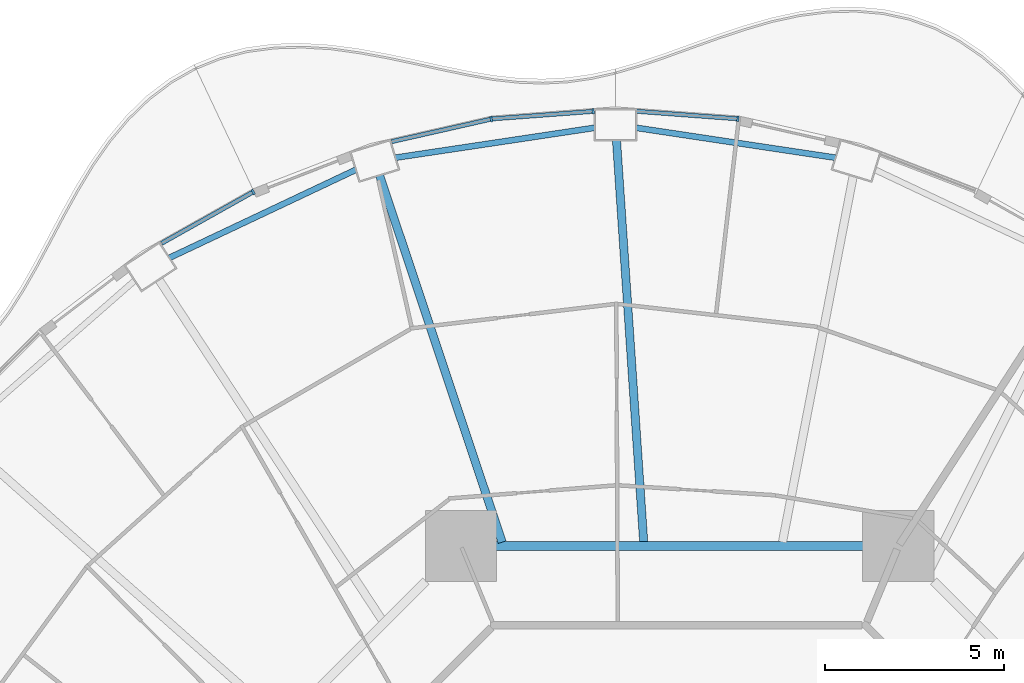
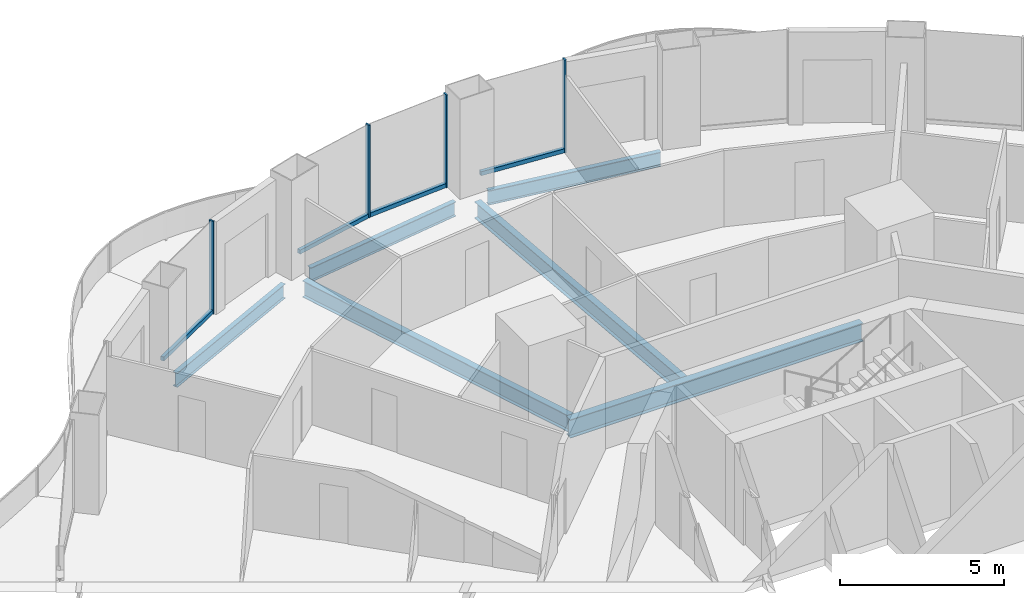
# One storey, part 7 of 20: 8 members, 6 beams, 4 elements without a shape of their own.
"""IFC4 building model written with IfcOpenShell, lengths in metres."""

from ifc_helpers import new_model, si_unit, direction, frame, origin, origin_2d, place, context, subcontext, project, spatial, rectangle, i_section, extrude, material, layer, layer_set, material_profile, profile_set, type_object, element, aggregate, save


model = new_model("IFC4")

# Units and contexts
model_context = context("Model", 3, precision=1e-05, world=origin(), true_north=direction((0.0, 1.0)))
body_context = subcontext(model_context, "Body", "Model", "MODEL_VIEW")
ifc_project = project(units=[si_unit("LENGTHUNIT", "METRE"), si_unit("AREAUNIT", "SQUARE_METRE"), si_unit("VOLUMEUNIT", "CUBIC_METRE"), si_unit("PLANEANGLEUNIT", "RADIAN"), si_unit("MASSUNIT", "GRAM", prefix="KILO")], contexts=[model_context])

# Site, building, storey
site_placement = place(None, origin())
site = spatial("IfcSite", under=ifc_project, at=site_placement, CompositionType="ELEMENT")
building_placement = place(site_placement, origin())
building = spatial("IfcBuilding", under=site, at=building_placement, Name="Nagisa Residences", CompositionType="ELEMENT")
storey_placement = place(building_placement, frame((0.0, 0.0, 123.300048828125)))
storey = spatial("IfcBuildingStorey", under=building, at=storey_placement, Name="L30", CompositionType="ELEMENT", Elevation=123.300048828125)

# Curtain wall, member
ifc_material_1 = material(Name="Concrete-coloured aluminium curtain wall system", Category="concrete")
ifc_layer = layer(ifc_material_1, 0.159912109375)
ifc_layer_set = layer_set([ifc_layer], Name="CW1 CURTAIN WALL")
curtain_wall_type = type_object("IfcCurtainWallType", Name="CW1 CURTAIN WALL", PredefinedType="NOTDEFINED", material=ifc_layer_set)
curtain_wall_1_placement = place(storey_placement, origin())
curtain_wall_1 = element("IfcCurtainWall", 1, at=curtain_wall_1_placement, inside=storey, type_object=curtain_wall_type, Name="cw:CW1:L30:11", PredefinedType="NOTDEFINED")
ifc_material_2 = material(Name="Concrete-coloured aluminium", Category="concrete")
ifc_material_profile_1 = material_profile(ifc_material_2, rectangle(XDim=0.159912109375, YDim=0.06005859375, at=origin_2d()), Name="CW1 MULLION 160x60")
ifc_profile_set_1 = profile_set([ifc_material_profile_1], Name="Concrete-coloured aluminium")
member_type_1 = type_object("IfcMemberType", Name="CW1 MULLION 160x60", PredefinedType="MULLION", material=ifc_profile_set_1)
member_1_placement = place(storey_placement, frame((1.627685546875, 26.741455078125, 0.0), z_axis=(0.0, 0.0, 1.0), x_axis=(-0.074377355493, -0.997230168512, 0.0)))
member_1 = element("IfcMember", 2, at=member_1_placement, type_object=member_type_1, Name="CW1 mullion", PredefinedType="MULLION", context=body_context, shape_type="SweptSolid", body=[
    extrude(rectangle(XDim=0.159912109375, YDim=0.06005859375, at=origin_2d()), origin(), (0.0, 0.0, 1.0), 3.43994140625),
])

curtain_wall_2_placement = place(storey_placement, origin())
curtain_wall_2 = element("IfcCurtainWall", 3, at=curtain_wall_2_placement, inside=storey, type_object=curtain_wall_type, Name="cw:CW1:L30:12", PredefinedType="NOTDEFINED")
member_2_placement = place(storey_placement, frame((-2.42236328125, 26.95068359375, 0.0), z_axis=(0.0, 0.0, 1.0), x_axis=(0.074377355493, -0.997230168512, 0.0)))
member_2 = element("IfcMember", 4, at=member_2_placement, type_object=member_type_1, Name="CW1 mullion", PredefinedType="MULLION", context=body_context, shape_type="SweptSolid", body=[
    extrude(rectangle(XDim=0.159912109375, YDim=0.06005859375, at=origin_2d()), origin(), (0.0, 0.0, 1.0), 3.43994140625),
])

curtain_wall_3_placement = place(storey_placement, origin())
curtain_wall_3 = element("IfcCurtainWall", 5, at=curtain_wall_3_placement, inside=storey, type_object=curtain_wall_type, Name="cw:CW1:L30:13", PredefinedType="NOTDEFINED")
member_3_placement = place(storey_placement, frame((-5.275146484375, 26.734375, 0.0), z_axis=(0.0, 0.0, 1.0), x_axis=(0.2207639201, -0.975327274089, 0.0)))
member_3 = element("IfcMember", 6, at=member_3_placement, type_object=member_type_1, Name="CW1 mullion", PredefinedType="MULLION", context=body_context, shape_type="SweptSolid", body=[
    extrude(rectangle(XDim=0.159912109375, YDim=0.06005859375, at=origin_2d()), origin(), (0.0, 0.0, 1.0), 3.43994140625),
])

curtain_wall_4_placement = place(storey_placement, origin())
curtain_wall_4 = element("IfcCurtainWall", 7, at=curtain_wall_4_placement, inside=storey, type_object=curtain_wall_type, Name="cw:CW1:L30:15", PredefinedType="NOTDEFINED")
member_4_placement = place(storey_placement, frame((-11.94140625, 24.6943359375, 0.0), z_axis=(0.0, 0.0, 1.0), x_axis=(0.489376918501, -0.872072377523, 0.0)))
member_4 = element("IfcMember", 8, at=member_4_placement, type_object=member_type_1, Name="CW1 mullion", PredefinedType="MULLION", context=body_context, shape_type="SweptSolid", body=[
    extrude(rectangle(XDim=0.159912109375, YDim=0.06005859375, at=origin_2d()), origin(), (0.0, 0.0, 1.0), 3.43994140625),
])

# Member
ifc_material_3 = material(Name="Concrete-coloured aluminium", Category="concrete")
ifc_material_profile_2 = material_profile(ifc_material_3, rectangle(XDim=0.1201171875, YDim=0.14990234375, at=origin_2d()), Name="CW1 TRANSOM 120x150")
ifc_profile_set_2 = profile_set([ifc_material_profile_2], Name="Concrete-coloured aluminium")
member_type_2 = type_object("IfcMemberType", Name="CW1 TRANSOM 120x150", PredefinedType="USERDEFINED", material=ifc_profile_set_2)
member_5_placement = place(storey_placement, frame((1.657470703125, 26.7392578125, 0.074951171875), z_axis=(-0.997231697044, 0.074356858535, 0.0), x_axis=(-0.074356858535, -0.997231697044, 0.0)))
member_5 = element("IfcMember", 9, at=member_5_placement, type_object=member_type_2, Name="CW1 transom", ObjectType="TRANSOM", PredefinedType="USERDEFINED", context=body_context, shape_type="SweptSolid", body=[
    extrude(rectangle(XDim=0.1201171875, YDim=0.14990234375, at=origin_2d()), origin(), (0.0, 0.0, 1.0), 2.873046875),
])

aggregate(curtain_wall_1, [member_1, member_5])

member_6_placement = place(storey_placement, frame((-2.392333984375, 26.952880859375, 0.074951171875), z_axis=(-0.997232166829, -0.074350557769, 0.0), x_axis=(0.074350557769, -0.997232166829, 0.0)))
member_6 = element("IfcMember", 10, at=member_6_placement, type_object=member_type_2, Name="CW1 transom", ObjectType="TRANSOM", PredefinedType="USERDEFINED", context=body_context, shape_type="SweptSolid", body=[
    extrude(rectangle(XDim=0.1201171875, YDim=0.14990234375, at=origin_2d()), origin(), (0.0, 0.0, 1.0), 2.873291015625),
])

aggregate(curtain_wall_2, [member_2, member_6])

member_7_placement = place(storey_placement, frame((-5.245849609375, 26.740966796875, 0.074951171875), z_axis=(-0.975320849653, -0.220792301117, 0.0), x_axis=(0.220792301117, -0.975320849653, 0.0)))
member_7 = element("IfcMember", 11, at=member_7_placement, type_object=member_type_2, Name="CW1 transom", ObjectType="TRANSOM", PredefinedType="USERDEFINED", context=body_context, shape_type="SweptSolid", body=[
    extrude(rectangle(XDim=0.1201171875, YDim=0.14990234375, at=origin_2d()), origin(), (0.0, 0.0, 1.0), 2.890380859375),
])

aggregate(curtain_wall_3, [member_3, member_7])

member_8_placement = place(storey_placement, frame((-11.915283203125, 24.708984375, 0.074951171875), z_axis=(-0.872101969379, -0.489324181914, 0.0), x_axis=(0.489324181914, -0.872101969379, 0.0)))
member_8 = element("IfcMember", 12, at=member_8_placement, type_object=member_type_2, Name="CW1 transom", ObjectType="TRANSOM", PredefinedType="USERDEFINED", context=body_context, shape_type="SweptSolid", body=[
    extrude(rectangle(XDim=0.1201171875, YDim=0.14990234375, at=origin_2d()), origin(), (0.0, 0.0, 1.0), 2.9697265625),
])

aggregate(curtain_wall_4, [member_4, member_8])

# Beams
ifc_material_4 = material(Name="Steel ASTM A572 Gr 50", Category="steel")
ifc_material_profile_3 = material_profile(ifc_material_4, i_section(OverallWidth=0.25390625, OverallDepth=0.68408203125, WebThickness=0.012451171875, FlangeThickness=0.018798828125, at=origin_2d()), Name="W690x140")
ifc_profile_set_3 = profile_set([ifc_material_profile_3], Name="Steel ASTM A572 Gr 50")
beam_type_1 = type_object("IfcBeamType", Name="Inner ring beam W690x140", PredefinedType="BEAM", material=ifc_profile_set_3)
beam_1_placement = place(storey_placement, frame((5.142822265625, 14.781982421875, -0.60205078125), z_axis=(-1.0, 0.0, 0.0), x_axis=(0.0, -1.0, 0.0)))
element("IfcBeam", 13, at=beam_1_placement, inside=storey, type_object=beam_type_1, Name="beam:L30:ib2", PredefinedType="BEAM", context=body_context, shape_type="SweptSolid", body=[
    extrude(i_section(OverallWidth=0.25390625, OverallDepth=0.68408203125, WebThickness=0.012451171875, FlangeThickness=0.018798828125, at=origin_2d()), origin(), (0.0, 0.0, 1.0), 10.28564453125),
])
ifc_material_5 = material(Name="Steel ASTM A572 Gr 50", Category="steel")
ifc_material_profile_4 = material_profile(ifc_material_5, i_section(OverallWidth=0.166015625, OverallDepth=0.534912109375, WebThickness=0.01025390625, FlangeThickness=0.0166015625, at=origin_2d()), Name="W530x85")
ifc_profile_set_4 = profile_set([ifc_material_profile_4], Name="Steel ASTM A572 Gr 50")
beam_type_2 = type_object("IfcBeamType", Name="Perimeter ring beam W530x85", PredefinedType="BEAM", material=ifc_profile_set_4)
for number, where, z_axis, x_axis, name in (
    (14, (4.3583984375, 25.652587890625, -0.527587890625), (-0.9889122118, 0.148501304214, 0.0), (-0.148501304214, -0.9889122118, 0.0), "beam:L30:pb06"),
    (15, (-2.380126953125, 26.490234375, -0.527587890625), (-0.9889122118, -0.148501304214, 0.0), (0.148501304214, -0.9889122118, 0.0), "beam:L30:pb07"),
):
    element("IfcBeam", number, at=place(storey_placement, frame(where, z_axis=z_axis, x_axis=x_axis)), inside=storey, type_object=beam_type_2, Name=name, PredefinedType="BEAM", context=body_context, shape_type="SweptSolid", body=[
        extrude(i_section(OverallWidth=0.166015625, OverallDepth=0.534912109375, WebThickness=0.01025390625, FlangeThickness=0.0166015625, at=origin_2d()), origin(), (0.0, 0.0, 1.0), 5.640625),
    ])
beam_2_placement = place(storey_placement, frame((-9.068603515625, 25.31494140625, -0.527587890625), z_axis=(-0.904169699539, -0.427173447719, 0.0), x_axis=(0.427173447719, -0.904169699539, 0.0)))
element("IfcBeam", 16, at=beam_2_placement, inside=storey, type_object=beam_type_2, Name="beam:L30:pb08", PredefinedType="BEAM", context=body_context, shape_type="SweptSolid", body=[
    extrude(i_section(OverallWidth=0.166015625, OverallDepth=0.534912109375, WebThickness=0.01025390625, FlangeThickness=0.0166015625, at=origin_2d()), origin(), (0.0, 0.0, 1.0), 5.7724609375),
])
ifc_material_6 = material(Name="Steel ASTM A572 Gr 50", Category="steel")
ifc_material_profile_5 = material_profile(ifc_material_6, i_section(OverallWidth=0.22900390625, OverallDepth=0.612060546875, WebThickness=0.011962890625, FlangeThickness=0.01953125, at=origin_2d()), Name="W610x125")
ifc_profile_set_5 = profile_set([ifc_material_profile_5], Name="Steel ASTM A572 Gr 50")
beam_type_3 = type_object("IfcBeamType", Name="Radial beam W610x125", PredefinedType="BEAM", material=ifc_profile_set_5)
beam_3_placement = place(storey_placement, frame((-1.77099609375, 26.147216796875, -0.566162109375), z_axis=(0.067591690418, -0.997713066661, 0.0), x_axis=(0.997713066661, 0.067591690418, 0.0)))
element("IfcBeam", 17, at=beam_3_placement, inside=storey, type_object=beam_type_3, Name="beam:L30:rb07", PredefinedType="BEAM", context=body_context, shape_type="SweptSolid", body=[
    extrude(i_section(OverallWidth=0.22900390625, OverallDepth=0.612060546875, WebThickness=0.011962890625, FlangeThickness=0.01953125, at=origin_2d()), origin(), (0.0, 0.0, 1.0), 11.283935546875),
])
beam_4_placement = place(storey_placement, frame((-8.402099609375, 25.157470703125, -0.566162109375), z_axis=(0.316789297789, -0.948495936104, 0.0), x_axis=(0.948495936104, 0.316789297789, 0.0)))
element("IfcBeam", 18, at=beam_4_placement, inside=storey, type_object=beam_type_3, Name="beam:L30:rb08", PredefinedType="BEAM", context=body_context, shape_type="SweptSolid", body=[
    extrude(i_section(OverallWidth=0.22900390625, OverallDepth=0.612060546875, WebThickness=0.011962890625, FlangeThickness=0.01953125, at=origin_2d()), origin(), (0.0, 0.0, 1.0), 10.824951171875),
])

save(model, "model.ifc")
